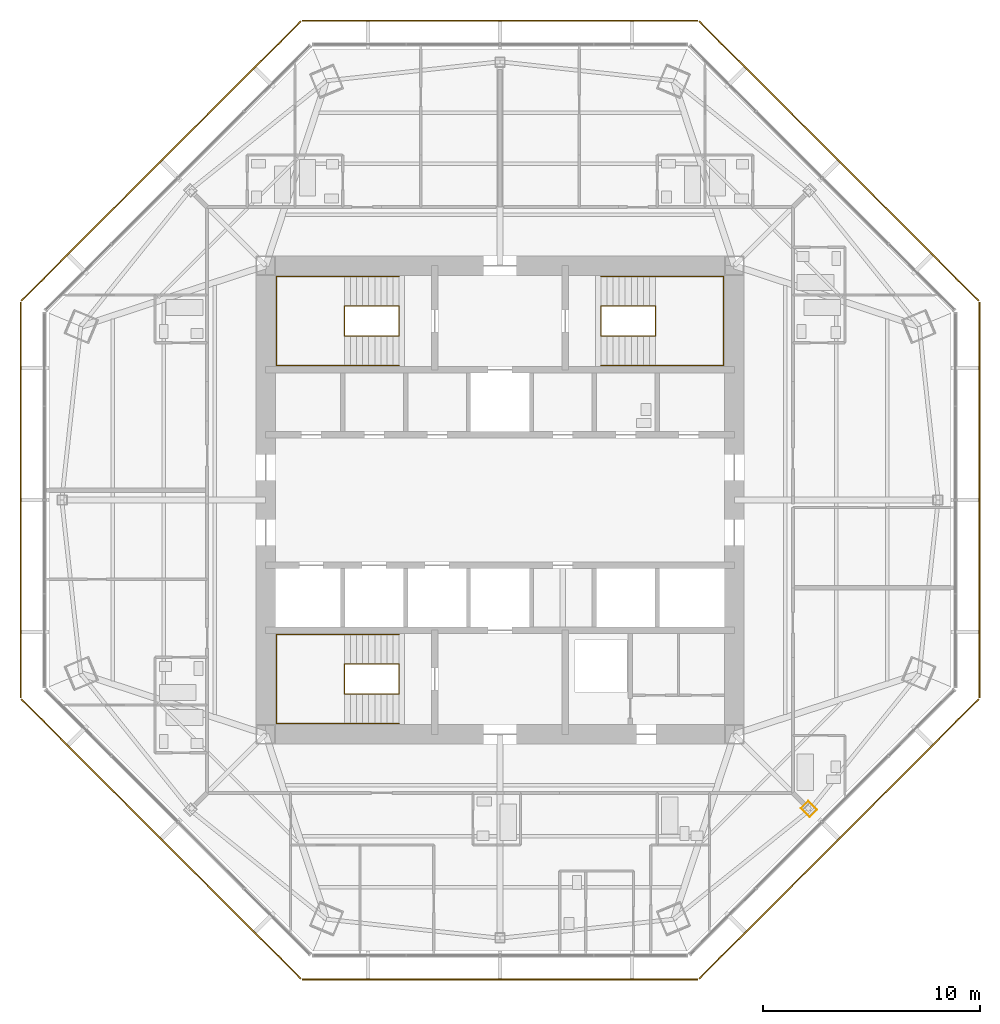
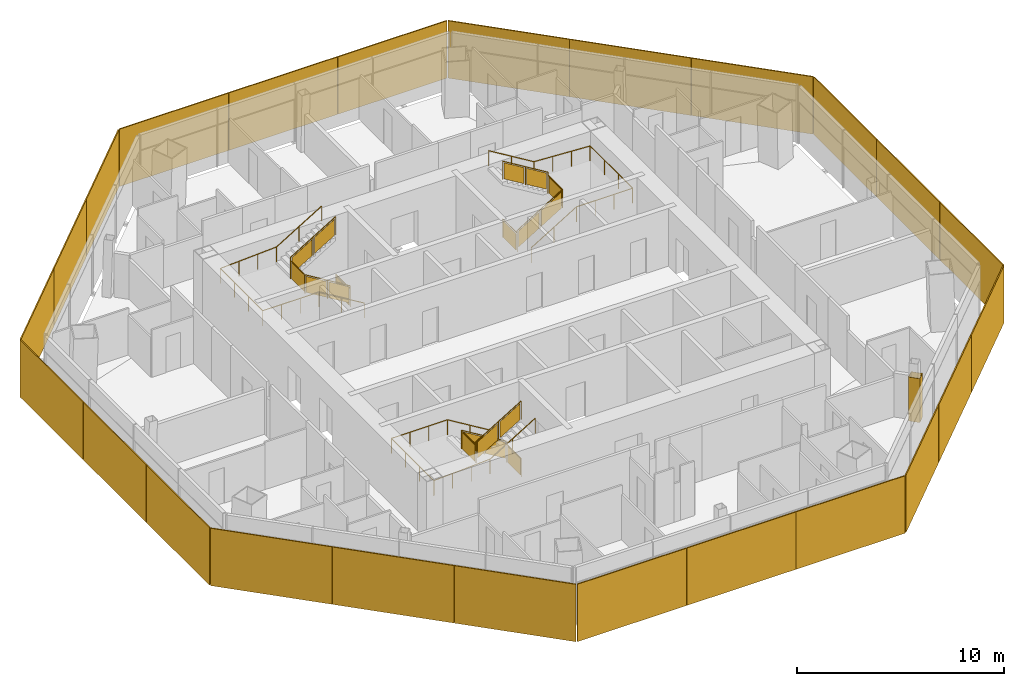
# One storey, part 14 of 15: 24 shading devices, 6 railings, 1 covering.
"""IFC4 building model written with IfcOpenShell, lengths in metres."""

from ifc_helpers import new_model, si_unit, direction, frame, origin, origin_2d, place, context, subcontext, project, spatial, polyline, rectangle, circle, outline, extrude, source, transform, mapped, material, layer, layer_set, type_object, type_shapes, element, save


model = new_model("IFC4")

# Units and contexts
model_context = context("Model", 3, precision=1e-05, world=origin(), true_north=direction((0.0, 1.0)))
body_context = subcontext(model_context, "Body", "Model", "MODEL_VIEW")
ifc_project = project(units=[si_unit("LENGTHUNIT", "METRE"), si_unit("AREAUNIT", "SQUARE_METRE"), si_unit("VOLUMEUNIT", "CUBIC_METRE"), si_unit("PLANEANGLEUNIT", "RADIAN"), si_unit("MASSUNIT", "GRAM", prefix="KILO")], contexts=[model_context])

# Site, building, storey
site_placement = place(None, origin())
site = spatial("IfcSite", under=ifc_project, at=site_placement, CompositionType="ELEMENT")
building_placement = place(site_placement, origin())
building = spatial("IfcBuilding", under=site, at=building_placement, Name="Mashrafa Tower", CompositionType="ELEMENT")
storey_placement = place(building_placement, frame((0.0, 0.0, 248.199951171875)))
storey = spatial("IfcBuildingStorey", under=building, at=storey_placement, Name="L59", CompositionType="ELEMENT", Elevation=248.199951171875)

# Covering
ifc_material_1 = material(Name="Gypsum board")
ifc_layer_1 = layer(ifc_material_1, 0.014892578125)
ifc_layer_set_1 = layer_set([ifc_layer_1], Name="Column casing plasterboard 15")
covering_type = type_object("IfcCoveringType", Name="Column casing plasterboard 15", PredefinedType="CLADDING", material=ifc_layer_set_1)
covering_placement = place(storey_placement, origin())
element("IfcCovering", 1, at=covering_placement, inside=storey, type_object=covering_type, Name="Column casing L59-001", PredefinedType="CLADDING", context=body_context, shape_type="SweptSolid", body=[
    extrude(outline(polyline([(13.87158203125, -14.2109375), (14.2109375, -13.87158203125), (14.618408203125, -14.279052734375), (14.279052734375, -14.618408203125), (13.87158203125, -14.2109375)]), holes=[polyline([(14.59716796875, -14.279052734375), (14.2109375, -13.892578125), (13.892578125, -14.2109375), (14.279052734375, -14.59716796875), (14.59716796875, -14.279052734375)])]), origin(), (0.0, 0.0, 1.0), 2.588134765625),
])

# Railings
ifc_material_2 = material(Name="Steel guard with glass infill", Category="steel")
railing_type_1 = type_object("IfcRailingType", Name="Stair guard 1100", PredefinedType="GUARDRAIL", material=ifc_material_2)
railing_1_placement = place(storey_placement, frame((-4.64990234375, 8.949951171875, 0.0)))
element("IfcRailing", 2, at=railing_1_placement, inside=storey, type_object=railing_type_1, Name="Stair S1 guard L59", PredefinedType="GUARDRAIL", context=body_context, shape_type="SweptSolid", body=[
    extrude(circle(Radius=0.02392578125, at=origin_2d()), frame((0.0, 0.0, 1.076171875), z_axis=(0.0, -1.0, 0.0), x_axis=(1.0, 0.0, 0.0)), (0.0, 0.0, 1.0), 1.39990234375),
    extrude(circle(Radius=0.02392578125, at=origin_2d()), frame((0.0, -1.39990234375, 1.076171875), z_axis=(0.0, 0.0, 1.0), x_axis=(1.0, 0.0, 0.0)), (0.0, 0.0, 1.0), 0.170166015625),
    extrude(circle(Radius=0.02392578125, at=origin_2d()), frame((0.0, -1.39990234375, 1.24609375), z_axis=(-0.854821627497, 0.0, 0.518921945155), x_axis=(0.0, -1.0, 0.0)), (0.0, 0.0, 1.0), 2.947998046875),
    extrude(circle(Radius=0.02392578125, at=origin_2d()), frame((-2.52001953125, -1.39990234375, 2.77587890625), z_axis=(0.0, 1.0, 0.0), x_axis=(-1.0, 0.0, 0.0)), (0.0, 0.0, 1.0), 1.39990234375),
    extrude(circle(Radius=0.02392578125, at=origin_2d()), frame((-2.52001953125, 0.0, 2.77587890625), z_axis=(0.0, 0.0, 1.0), x_axis=(1.0, 0.0, 0.0)), (0.0, 0.0, 1.0), 0.170166015625),
    extrude(circle(Radius=0.02392578125, at=origin_2d()), frame((-2.52001953125, 0.0, 2.9462890625), z_axis=(0.85478489116, 0.0, 0.518982456201), x_axis=(0.0, 1.0, 0.0)), (0.0, 0.0, 1.0), 2.9482421875),
    extrude(circle(Radius=0.02099609375, at=origin_2d()), origin(), (0.0, 0.0, 1.0), 1.052001953125),
    extrude(circle(Radius=0.02099609375, at=origin_2d()), frame((0.0, -1.39990234375, 0.0)), (0.0, 0.0, 1.0), 1.052001953125),
    extrude(circle(Radius=0.02099609375, at=origin_2d()), frame((0.0, -1.39990234375, 0.170166015625)), (0.0, 0.0, 1.0), 1.052001953125),
    extrude(circle(Radius=0.02099609375, at=origin_2d()), frame((-1.260009765625, -1.39990234375, 0.93505859375)), (0.0, 0.0, 1.0), 1.052001953125),
    extrude(circle(Radius=0.02099609375, at=origin_2d()), frame((-2.52001953125, -1.39990234375, 1.699951171875)), (0.0, 0.0, 1.0), 1.052001953125),
    extrude(circle(Radius=0.02099609375, at=origin_2d()), frame((-2.52001953125, 0.0, 1.699951171875)), (0.0, 0.0, 1.0), 1.052001953125),
    extrude(circle(Radius=0.02099609375, at=origin_2d()), frame((-2.52001953125, 0.0, 1.8701171875)), (0.0, 0.0, 1.0), 1.052001953125),
    extrude(circle(Radius=0.02099609375, at=origin_2d()), frame((-1.260009765625, 0.0, 2.63525390625)), (0.0, 0.0, 1.0), 1.052001953125),
    extrude(circle(Radius=0.02099609375, at=origin_2d()), frame((0.0, 0.0, 3.400146484375)), (0.0, 0.0, 1.0), 1.052001953125),
    extrude(outline(polyline([(0.071044921875, 0.050048828125), (1.328857421875, 0.050048828125), (1.328857421875, 1.001953125), (0.071044921875, 1.001953125), (0.071044921875, 0.050048828125)])), frame((-0.006103515625, 0.0, 0.0), z_axis=(-1.0, 0.0, 0.0), x_axis=(0.0, -1.0, 0.0)), (0.0, 0.0, 1.0), 0.011962890625),
    extrude(outline(polyline([(0.071044921875, 0.093017578125), (1.18896484375, 0.771728515625), (1.18896484375, 1.723876953125), (0.071044921875, 1.045166015625), (0.071044921875, 0.093017578125)])), frame((0.0, -1.393798828125, 0.170166015625), z_axis=(0.0, 1.0, 0.0), x_axis=(-1.0, 0.0, 0.0)), (0.0, 0.0, 1.0), 0.011962890625),
    extrude(outline(polyline([(1.3310546875, 0.85791015625), (2.448974609375, 1.53662109375), (2.448974609375, 2.48876953125), (1.3310546875, 1.81005859375), (1.3310546875, 0.85791015625)])), frame((0.0, -1.393798828125, 0.170166015625), z_axis=(0.0, 1.0, 0.0), x_axis=(-1.0, 0.0, 0.0)), (0.0, 0.0, 1.0), 0.011962890625),
    extrude(outline(polyline([(0.071044921875, 0.050048828125), (1.328857421875, 0.050048828125), (1.328857421875, 1.001953125), (0.071044921875, 1.001953125), (0.071044921875, 0.050048828125)])), frame((-2.513916015625, -1.39990234375, 1.699951171875), z_axis=(1.0, 0.0, 0.0), x_axis=(0.0, 1.0, 0.0)), (0.0, 0.0, 1.0), 0.011962890625),
    extrude(outline(polyline([(0.071044921875, 0.093017578125), (1.18896484375, 0.77197265625), (1.18896484375, 1.723876953125), (0.071044921875, 1.045166015625), (0.071044921875, 0.093017578125)])), frame((-2.52001953125, -0.006103515625, 1.8701171875), z_axis=(0.0, -1.0, 0.0), x_axis=(1.0, 0.0, 0.0)), (0.0, 0.0, 1.0), 0.011962890625),
    extrude(outline(polyline([(1.3310546875, 0.858154296875), (2.448974609375, 1.536865234375), (2.448974609375, 2.489013671875), (1.3310546875, 1.81005859375), (1.3310546875, 0.858154296875)])), frame((-2.52001953125, -0.006103515625, 1.8701171875), z_axis=(0.0, -1.0, 0.0), x_axis=(1.0, 0.0, 0.0)), (0.0, 0.0, 1.0), 0.011962890625),
])
railing_2_placement = place(storey_placement, frame((4.64990234375, 8.949951171875, 0.0)))
element("IfcRailing", 3, at=railing_2_placement, inside=storey, type_object=railing_type_1, Name="Stair S2 guard L59", PredefinedType="GUARDRAIL", context=body_context, shape_type="SweptSolid", body=[
    extrude(circle(Radius=0.02392578125, at=origin_2d()), frame((0.0, 0.0, 1.076171875), z_axis=(0.0, -1.0, 0.0), x_axis=(1.0, 0.0, 0.0)), (0.0, 0.0, 1.0), 1.39990234375),
    extrude(circle(Radius=0.02392578125, at=origin_2d()), frame((0.0, -1.39990234375, 1.076171875), z_axis=(0.0, 0.0, 1.0), x_axis=(1.0, 0.0, 0.0)), (0.0, 0.0, 1.0), 0.170166015625),
    extrude(circle(Radius=0.02392578125, at=origin_2d()), frame((0.0, -1.39990234375, 1.24609375), z_axis=(0.854821627497, 0.0, 0.518921945155), x_axis=(0.0, 1.0, 0.0)), (0.0, 0.0, 1.0), 2.947998046875),
    extrude(circle(Radius=0.02392578125, at=origin_2d()), frame((2.52001953125, -1.39990234375, 2.77587890625), z_axis=(0.0, 1.0, 0.0), x_axis=(-1.0, 0.0, 0.0)), (0.0, 0.0, 1.0), 1.39990234375),
    extrude(circle(Radius=0.02392578125, at=origin_2d()), frame((2.52001953125, 0.0, 2.77587890625), z_axis=(0.0, 0.0, 1.0), x_axis=(1.0, 0.0, 0.0)), (0.0, 0.0, 1.0), 0.170166015625),
    extrude(circle(Radius=0.02392578125, at=origin_2d()), frame((2.52001953125, 0.0, 2.9462890625), z_axis=(-0.85478489116, 0.0, 0.518982456201), x_axis=(0.0, -1.0, 0.0)), (0.0, 0.0, 1.0), 2.9482421875),
    extrude(circle(Radius=0.02099609375, at=origin_2d()), origin(), (0.0, 0.0, 1.0), 1.052001953125),
    extrude(circle(Radius=0.02099609375, at=origin_2d()), frame((0.0, -1.39990234375, 0.0)), (0.0, 0.0, 1.0), 1.052001953125),
    extrude(circle(Radius=0.02099609375, at=origin_2d()), frame((0.0, -1.39990234375, 0.170166015625)), (0.0, 0.0, 1.0), 1.052001953125),
    extrude(circle(Radius=0.02099609375, at=origin_2d()), frame((1.260009765625, -1.39990234375, 0.93505859375)), (0.0, 0.0, 1.0), 1.052001953125),
    extrude(circle(Radius=0.02099609375, at=origin_2d()), frame((2.52001953125, -1.39990234375, 1.699951171875)), (0.0, 0.0, 1.0), 1.052001953125),
    extrude(circle(Radius=0.02099609375, at=origin_2d()), frame((2.52001953125, 0.0, 1.699951171875)), (0.0, 0.0, 1.0), 1.052001953125),
    extrude(circle(Radius=0.02099609375, at=origin_2d()), frame((2.52001953125, 0.0, 1.8701171875)), (0.0, 0.0, 1.0), 1.052001953125),
    extrude(circle(Radius=0.02099609375, at=origin_2d()), frame((1.260009765625, 0.0, 2.63525390625)), (0.0, 0.0, 1.0), 1.052001953125),
    extrude(circle(Radius=0.02099609375, at=origin_2d()), frame((0.0, 0.0, 3.400146484375)), (0.0, 0.0, 1.0), 1.052001953125),
    extrude(outline(polyline([(0.071044921875, 0.050048828125), (1.328857421875, 0.050048828125), (1.328857421875, 1.001953125), (0.071044921875, 1.001953125), (0.071044921875, 0.050048828125)])), frame((-0.006103515625, 0.0, 0.0), z_axis=(-1.0, 0.0, 0.0), x_axis=(0.0, -1.0, 0.0)), (0.0, 0.0, 1.0), 0.011962890625),
    extrude(outline(polyline([(0.071044921875, 0.093017578125), (1.18896484375, 0.771728515625), (1.18896484375, 1.723876953125), (0.071044921875, 1.045166015625), (0.071044921875, 0.093017578125)])), frame((0.0, -1.406005859375, 0.170166015625), z_axis=(0.0, -1.0, 0.0), x_axis=(1.0, 0.0, 0.0)), (0.0, 0.0, 1.0), 0.011962890625),
    extrude(outline(polyline([(1.3310546875, 0.85791015625), (2.448974609375, 1.53662109375), (2.448974609375, 2.48876953125), (1.3310546875, 1.81005859375), (1.3310546875, 0.85791015625)])), frame((0.0, -1.406005859375, 0.170166015625), z_axis=(0.0, -1.0, 0.0), x_axis=(1.0, 0.0, 0.0)), (0.0, 0.0, 1.0), 0.011962890625),
    extrude(outline(polyline([(0.071044921875, 0.050048828125), (1.328857421875, 0.050048828125), (1.328857421875, 1.001953125), (0.071044921875, 1.001953125), (0.071044921875, 0.050048828125)])), frame((2.526123046875, -1.39990234375, 1.699951171875), z_axis=(1.0, 0.0, 0.0), x_axis=(0.0, 1.0, 0.0)), (0.0, 0.0, 1.0), 0.011962890625),
    extrude(outline(polyline([(0.071044921875, 0.093017578125), (1.18896484375, 0.77197265625), (1.18896484375, 1.723876953125), (0.071044921875, 1.045166015625), (0.071044921875, 0.093017578125)])), frame((2.52001953125, 0.006103515625, 1.8701171875), z_axis=(0.0, 1.0, 0.0), x_axis=(-1.0, 0.0, 0.0)), (0.0, 0.0, 1.0), 0.011962890625),
    extrude(outline(polyline([(1.3310546875, 0.858154296875), (2.448974609375, 1.536865234375), (2.448974609375, 2.489013671875), (1.3310546875, 1.81005859375), (1.3310546875, 0.858154296875)])), frame((2.52001953125, 0.006103515625, 1.8701171875), z_axis=(0.0, 1.0, 0.0), x_axis=(-1.0, 0.0, 0.0)), (0.0, 0.0, 1.0), 0.011962890625),
])
railing_3_placement = place(storey_placement, frame((-4.64990234375, -8.949951171875, 0.0)))
element("IfcRailing", 4, at=railing_3_placement, inside=storey, type_object=railing_type_1, Name="Stair S3 guard L59", PredefinedType="GUARDRAIL", context=body_context, shape_type="SweptSolid", body=[
    extrude(circle(Radius=0.02392578125, at=origin_2d()), frame((0.0, 0.0, 1.076171875), z_axis=(0.0, 1.0, 0.0), x_axis=(-1.0, 0.0, 0.0)), (0.0, 0.0, 1.0), 1.39990234375),
    extrude(circle(Radius=0.02392578125, at=origin_2d()), frame((0.0, 1.39990234375, 1.076171875), z_axis=(0.0, 0.0, 1.0), x_axis=(1.0, 0.0, 0.0)), (0.0, 0.0, 1.0), 0.170166015625),
    extrude(circle(Radius=0.02392578125, at=origin_2d()), frame((0.0, 1.39990234375, 1.24609375), z_axis=(-0.854821627497, 0.0, 0.518921945155), x_axis=(0.0, -1.0, 0.0)), (0.0, 0.0, 1.0), 2.947998046875),
    extrude(circle(Radius=0.02392578125, at=origin_2d()), frame((-2.52001953125, 1.39990234375, 2.77587890625), z_axis=(0.0, -1.0, 0.0), x_axis=(1.0, 0.0, 0.0)), (0.0, 0.0, 1.0), 1.39990234375),
    extrude(circle(Radius=0.02392578125, at=origin_2d()), frame((-2.52001953125, 0.0, 2.77587890625), z_axis=(0.0, 0.0, 1.0), x_axis=(1.0, 0.0, 0.0)), (0.0, 0.0, 1.0), 0.170166015625),
    extrude(circle(Radius=0.02392578125, at=origin_2d()), frame((-2.52001953125, 0.0, 2.9462890625), z_axis=(0.85478489116, 0.0, 0.518982456201), x_axis=(0.0, 1.0, 0.0)), (0.0, 0.0, 1.0), 2.9482421875),
    extrude(circle(Radius=0.02099609375, at=origin_2d()), origin(), (0.0, 0.0, 1.0), 1.052001953125),
    extrude(circle(Radius=0.02099609375, at=origin_2d()), frame((0.0, 1.39990234375, 0.0)), (0.0, 0.0, 1.0), 1.052001953125),
    extrude(circle(Radius=0.02099609375, at=origin_2d()), frame((0.0, 1.39990234375, 0.170166015625)), (0.0, 0.0, 1.0), 1.052001953125),
    extrude(circle(Radius=0.02099609375, at=origin_2d()), frame((-1.260009765625, 1.39990234375, 0.93505859375)), (0.0, 0.0, 1.0), 1.052001953125),
    extrude(circle(Radius=0.02099609375, at=origin_2d()), frame((-2.52001953125, 1.39990234375, 1.699951171875)), (0.0, 0.0, 1.0), 1.052001953125),
    extrude(circle(Radius=0.02099609375, at=origin_2d()), frame((-2.52001953125, 0.0, 1.699951171875)), (0.0, 0.0, 1.0), 1.052001953125),
    extrude(circle(Radius=0.02099609375, at=origin_2d()), frame((-2.52001953125, 0.0, 1.8701171875)), (0.0, 0.0, 1.0), 1.052001953125),
    extrude(circle(Radius=0.02099609375, at=origin_2d()), frame((-1.260009765625, 0.0, 2.63525390625)), (0.0, 0.0, 1.0), 1.052001953125),
    extrude(circle(Radius=0.02099609375, at=origin_2d()), frame((0.0, 0.0, 3.400146484375)), (0.0, 0.0, 1.0), 1.052001953125),
    extrude(outline(polyline([(0.071044921875, 0.050048828125), (1.328857421875, 0.050048828125), (1.328857421875, 1.001953125), (0.071044921875, 1.001953125), (0.071044921875, 0.050048828125)])), frame((0.006103515625, 0.0, 0.0), z_axis=(1.0, 0.0, 0.0), x_axis=(0.0, 1.0, 0.0)), (0.0, 0.0, 1.0), 0.011962890625),
    extrude(outline(polyline([(0.071044921875, 0.093017578125), (1.18896484375, 0.771728515625), (1.18896484375, 1.723876953125), (0.071044921875, 1.045166015625), (0.071044921875, 0.093017578125)])), frame((0.0, 1.406005859375, 0.170166015625), z_axis=(0.0, 1.0, 0.0), x_axis=(-1.0, 0.0, 0.0)), (0.0, 0.0, 1.0), 0.011962890625),
    extrude(outline(polyline([(1.3310546875, 0.85791015625), (2.448974609375, 1.53662109375), (2.448974609375, 2.48876953125), (1.3310546875, 1.81005859375), (1.3310546875, 0.85791015625)])), frame((0.0, 1.406005859375, 0.170166015625), z_axis=(0.0, 1.0, 0.0), x_axis=(-1.0, 0.0, 0.0)), (0.0, 0.0, 1.0), 0.011962890625),
    extrude(outline(polyline([(0.071044921875, 0.050048828125), (1.328857421875, 0.050048828125), (1.328857421875, 1.001953125), (0.071044921875, 1.001953125), (0.071044921875, 0.050048828125)])), frame((-2.526123046875, 1.39990234375, 1.699951171875), z_axis=(-1.0, 0.0, 0.0), x_axis=(0.0, -1.0, 0.0)), (0.0, 0.0, 1.0), 0.011962890625),
    extrude(outline(polyline([(0.071044921875, 0.093017578125), (1.18896484375, 0.77197265625), (1.18896484375, 1.723876953125), (0.071044921875, 1.045166015625), (0.071044921875, 0.093017578125)])), frame((-2.52001953125, -0.006103515625, 1.8701171875), z_axis=(0.0, -1.0, 0.0), x_axis=(1.0, 0.0, 0.0)), (0.0, 0.0, 1.0), 0.011962890625),
    extrude(outline(polyline([(1.3310546875, 0.858154296875), (2.448974609375, 1.536865234375), (2.448974609375, 2.489013671875), (1.3310546875, 1.81005859375), (1.3310546875, 0.858154296875)])), frame((-2.52001953125, -0.006103515625, 1.8701171875), z_axis=(0.0, -1.0, 0.0), x_axis=(1.0, 0.0, 0.0)), (0.0, 0.0, 1.0), 0.011962890625),
])
ifc_material_3 = material(Name="Steel", Category="steel")
railing_type_2 = type_object("IfcRailingType", Name="Stair handrail 900", PredefinedType="HANDRAIL", material=ifc_material_3)
railing_4_placement = place(storey_placement, frame((-4.64990234375, 6.199951171875, 0.170166015625)))
element("IfcRailing", 5, at=railing_4_placement, inside=storey, type_object=railing_type_2, Name="Stair S1 handrail L59", PredefinedType="HANDRAIL", context=body_context, shape_type="SweptSolid", body=[
    extrude(circle(Radius=0.02392578125, at=origin_2d()), frame((0.0, 0.0, 0.8759765625), z_axis=(-0.854821627497, 0.0, 0.518921945155), x_axis=(0.0, -1.0, 0.0)), (0.0, 0.0, 1.0), 2.947998046875),
    extrude(circle(Radius=0.02392578125, at=origin_2d()), frame((-2.52001953125, 0.0, 2.40576171875), z_axis=(-1.0, 0.0, 0.0), x_axis=(0.0, -1.0, 0.0)), (0.0, 0.0, 1.0), 3.130126953125),
    extrude(circle(Radius=0.02392578125, at=origin_2d()), frame((-5.650146484375, 0.0, 2.40576171875), z_axis=(0.0, 1.0, 0.0), x_axis=(-1.0, 0.0, 0.0)), (0.0, 0.0, 1.0), 4.10009765625),
    extrude(circle(Radius=0.02392578125, at=origin_2d()), frame((-5.650146484375, 4.10009765625, 2.40576171875), z_axis=(0.998525548763, 0.0, 0.054283777201), x_axis=(0.0, 1.0, 0.0)), (0.0, 0.0, 1.0), 3.134765625),
    extrude(circle(Radius=0.02392578125, at=origin_2d()), frame((-2.52001953125, 4.10009765625, 2.57568359375), z_axis=(0.85478489116, 0.0, 0.518982456201), x_axis=(0.0, 1.0, 0.0)), (0.0, 0.0, 1.0), 2.9482421875),
    extrude(circle(Radius=0.02099609375, at=origin_2d()), origin(), (0.0, 0.0, 1.0), 0.851806640625),
    extrude(circle(Radius=0.02099609375, at=origin_2d()), frame((-1.260009765625, 0.0, 0.764892578125)), (0.0, 0.0, 1.0), 0.851806640625),
    extrude(circle(Radius=0.02099609375, at=origin_2d()), frame((-2.52001953125, 0.0, 1.52978515625)), (0.0, 0.0, 1.0), 0.851806640625),
    extrude(circle(Radius=0.02099609375, at=origin_2d()), frame((-3.5634765625, 0.0, 1.52978515625)), (0.0, 0.0, 1.0), 0.851806640625),
    extrude(circle(Radius=0.02099609375, at=origin_2d()), frame((-4.606689453125, 0.0, 1.52978515625)), (0.0, 0.0, 1.0), 0.851806640625),
    extrude(circle(Radius=0.02099609375, at=origin_2d()), frame((-5.650146484375, 0.0, 1.52978515625)), (0.0, 0.0, 1.0), 0.851806640625),
    extrude(circle(Radius=0.02099609375, at=origin_2d()), frame((-5.650146484375, 1.36669921875, 1.52978515625)), (0.0, 0.0, 1.0), 0.851806640625),
    extrude(circle(Radius=0.02099609375, at=origin_2d()), frame((-5.650146484375, 2.7333984375, 1.52978515625)), (0.0, 0.0, 1.0), 0.851806640625),
    extrude(circle(Radius=0.02099609375, at=origin_2d()), frame((-5.650146484375, 4.10009765625, 1.52978515625)), (0.0, 0.0, 1.0), 0.851806640625),
    extrude(circle(Radius=0.02099609375, at=origin_2d()), frame((-4.606689453125, 4.10009765625, 1.58642578125)), (0.0, 0.0, 1.0), 0.851806640625),
    extrude(circle(Radius=0.02099609375, at=origin_2d()), frame((-3.5634765625, 4.10009765625, 1.643310546875)), (0.0, 0.0, 1.0), 0.851806640625),
    extrude(circle(Radius=0.02099609375, at=origin_2d()), frame((-2.52001953125, 4.10009765625, 1.699951171875)), (0.0, 0.0, 1.0), 0.851806640625),
    extrude(circle(Radius=0.02099609375, at=origin_2d()), frame((-1.260009765625, 4.10009765625, 2.46484375)), (0.0, 0.0, 1.0), 0.851806640625),
    extrude(circle(Radius=0.02099609375, at=origin_2d()), frame((0.0, 4.10009765625, 3.22998046875)), (0.0, 0.0, 1.0), 0.851806640625),
])
railing_5_placement = place(storey_placement, frame((4.64990234375, 6.199951171875, 0.170166015625)))
element("IfcRailing", 6, at=railing_5_placement, inside=storey, type_object=railing_type_2, Name="Stair S2 handrail L59", PredefinedType="HANDRAIL", context=body_context, shape_type="SweptSolid", body=[
    extrude(circle(Radius=0.02392578125, at=origin_2d()), frame((0.0, 0.0, 0.8759765625), z_axis=(0.854821627497, 0.0, 0.518921945155), x_axis=(0.0, 1.0, 0.0)), (0.0, 0.0, 1.0), 2.947998046875),
    extrude(circle(Radius=0.02392578125, at=origin_2d()), frame((2.52001953125, 0.0, 2.40576171875), z_axis=(1.0, 0.0, 0.0), x_axis=(0.0, 1.0, 0.0)), (0.0, 0.0, 1.0), 3.130126953125),
    extrude(circle(Radius=0.02392578125, at=origin_2d()), frame((5.650146484375, 0.0, 2.40576171875), z_axis=(0.0, 1.0, 0.0), x_axis=(-1.0, 0.0, 0.0)), (0.0, 0.0, 1.0), 4.10009765625),
    extrude(circle(Radius=0.02392578125, at=origin_2d()), frame((5.650146484375, 4.10009765625, 2.40576171875), z_axis=(-0.998525548763, 0.0, 0.054283777201), x_axis=(0.0, -1.0, 0.0)), (0.0, 0.0, 1.0), 3.134765625),
    extrude(circle(Radius=0.02392578125, at=origin_2d()), frame((2.52001953125, 4.10009765625, 2.57568359375), z_axis=(-0.85478489116, 0.0, 0.518982456201), x_axis=(0.0, -1.0, 0.0)), (0.0, 0.0, 1.0), 2.9482421875),
    extrude(circle(Radius=0.02099609375, at=origin_2d()), origin(), (0.0, 0.0, 1.0), 0.851806640625),
    extrude(circle(Radius=0.02099609375, at=origin_2d()), frame((1.260009765625, 0.0, 0.764892578125)), (0.0, 0.0, 1.0), 0.851806640625),
    extrude(circle(Radius=0.02099609375, at=origin_2d()), frame((2.52001953125, 0.0, 1.52978515625)), (0.0, 0.0, 1.0), 0.851806640625),
    extrude(circle(Radius=0.02099609375, at=origin_2d()), frame((3.5634765625, 0.0, 1.52978515625)), (0.0, 0.0, 1.0), 0.851806640625),
    extrude(circle(Radius=0.02099609375, at=origin_2d()), frame((4.606689453125, 0.0, 1.52978515625)), (0.0, 0.0, 1.0), 0.851806640625),
    extrude(circle(Radius=0.02099609375, at=origin_2d()), frame((5.650146484375, 0.0, 1.52978515625)), (0.0, 0.0, 1.0), 0.851806640625),
    extrude(circle(Radius=0.02099609375, at=origin_2d()), frame((5.650146484375, 1.36669921875, 1.52978515625)), (0.0, 0.0, 1.0), 0.851806640625),
    extrude(circle(Radius=0.02099609375, at=origin_2d()), frame((5.650146484375, 2.7333984375, 1.52978515625)), (0.0, 0.0, 1.0), 0.851806640625),
    extrude(circle(Radius=0.02099609375, at=origin_2d()), frame((5.650146484375, 4.10009765625, 1.52978515625)), (0.0, 0.0, 1.0), 0.851806640625),
    extrude(circle(Radius=0.02099609375, at=origin_2d()), frame((4.606689453125, 4.10009765625, 1.58642578125)), (0.0, 0.0, 1.0), 0.851806640625),
    extrude(circle(Radius=0.02099609375, at=origin_2d()), frame((3.5634765625, 4.10009765625, 1.643310546875)), (0.0, 0.0, 1.0), 0.851806640625),
    extrude(circle(Radius=0.02099609375, at=origin_2d()), frame((2.52001953125, 4.10009765625, 1.699951171875)), (0.0, 0.0, 1.0), 0.851806640625),
    extrude(circle(Radius=0.02099609375, at=origin_2d()), frame((1.260009765625, 4.10009765625, 2.46484375)), (0.0, 0.0, 1.0), 0.851806640625),
    extrude(circle(Radius=0.02099609375, at=origin_2d()), frame((0.0, 4.10009765625, 3.22998046875)), (0.0, 0.0, 1.0), 0.851806640625),
])
railing_6_placement = place(storey_placement, frame((-4.64990234375, -6.199951171875, 0.170166015625)))
element("IfcRailing", 7, at=railing_6_placement, inside=storey, type_object=railing_type_2, Name="Stair S3 handrail L59", PredefinedType="HANDRAIL", context=body_context, shape_type="SweptSolid", body=[
    extrude(circle(Radius=0.02392578125, at=origin_2d()), frame((0.0, 0.0, 0.8759765625), z_axis=(-0.854821627497, 0.0, 0.518921945155), x_axis=(0.0, -1.0, 0.0)), (0.0, 0.0, 1.0), 2.947998046875),
    extrude(circle(Radius=0.02392578125, at=origin_2d()), frame((-2.52001953125, 0.0, 2.40576171875), z_axis=(-1.0, 0.0, 0.0), x_axis=(0.0, -1.0, 0.0)), (0.0, 0.0, 1.0), 3.130126953125),
    extrude(circle(Radius=0.02392578125, at=origin_2d()), frame((-5.650146484375, 0.0, 2.40576171875), z_axis=(0.0, -1.0, 0.0), x_axis=(1.0, 0.0, 0.0)), (0.0, 0.0, 1.0), 4.10009765625),
    extrude(circle(Radius=0.02392578125, at=origin_2d()), frame((-5.650146484375, -4.10009765625, 2.40576171875), z_axis=(0.998525548763, 0.0, 0.054283777201), x_axis=(0.0, 1.0, 0.0)), (0.0, 0.0, 1.0), 3.134765625),
    extrude(circle(Radius=0.02392578125, at=origin_2d()), frame((-2.52001953125, -4.10009765625, 2.57568359375), z_axis=(0.85478489116, 0.0, 0.518982456201), x_axis=(0.0, 1.0, 0.0)), (0.0, 0.0, 1.0), 2.9482421875),
    extrude(circle(Radius=0.02099609375, at=origin_2d()), origin(), (0.0, 0.0, 1.0), 0.851806640625),
    extrude(circle(Radius=0.02099609375, at=origin_2d()), frame((-1.260009765625, 0.0, 0.764892578125)), (0.0, 0.0, 1.0), 0.851806640625),
    extrude(circle(Radius=0.02099609375, at=origin_2d()), frame((-2.52001953125, 0.0, 1.52978515625)), (0.0, 0.0, 1.0), 0.851806640625),
    extrude(circle(Radius=0.02099609375, at=origin_2d()), frame((-3.5634765625, 0.0, 1.52978515625)), (0.0, 0.0, 1.0), 0.851806640625),
    extrude(circle(Radius=0.02099609375, at=origin_2d()), frame((-4.606689453125, 0.0, 1.52978515625)), (0.0, 0.0, 1.0), 0.851806640625),
    extrude(circle(Radius=0.02099609375, at=origin_2d()), frame((-5.650146484375, 0.0, 1.52978515625)), (0.0, 0.0, 1.0), 0.851806640625),
    extrude(circle(Radius=0.02099609375, at=origin_2d()), frame((-5.650146484375, -1.36669921875, 1.52978515625)), (0.0, 0.0, 1.0), 0.851806640625),
    extrude(circle(Radius=0.02099609375, at=origin_2d()), frame((-5.650146484375, -2.7333984375, 1.52978515625)), (0.0, 0.0, 1.0), 0.851806640625),
    extrude(circle(Radius=0.02099609375, at=origin_2d()), frame((-5.650146484375, -4.10009765625, 1.52978515625)), (0.0, 0.0, 1.0), 0.851806640625),
    extrude(circle(Radius=0.02099609375, at=origin_2d()), frame((-4.606689453125, -4.10009765625, 1.58642578125)), (0.0, 0.0, 1.0), 0.851806640625),
    extrude(circle(Radius=0.02099609375, at=origin_2d()), frame((-3.5634765625, -4.10009765625, 1.643310546875)), (0.0, 0.0, 1.0), 0.851806640625),
    extrude(circle(Radius=0.02099609375, at=origin_2d()), frame((-2.52001953125, -4.10009765625, 1.699951171875)), (0.0, 0.0, 1.0), 0.851806640625),
    extrude(circle(Radius=0.02099609375, at=origin_2d()), frame((-1.260009765625, -4.10009765625, 2.46484375)), (0.0, 0.0, 1.0), 0.851806640625),
    extrude(circle(Radius=0.02099609375, at=origin_2d()), frame((0.0, -4.10009765625, 3.22998046875)), (0.0, 0.0, 1.0), 0.851806640625),
])

# Shading devices
ifc_material_4 = material(Name="Perforated aluminium plate, eight-point star pattern", Category="aluminium")
ifc_layer_2 = layer(ifc_material_4, 0.06005859375)
ifc_layer_set_2 = layer_set([ifc_layer_2], Name="Mashrabiya screen panel apartment zone 3, 28 percent open")
shading_device_type = type_object("IfcShadingDeviceType", Name="Mashrabiya screen panel apartment zone 3, 28 percent open", PredefinedType="SHUTTER", material=ifc_layer_set_2)
shared_shape = source(origin(), body_context, "Body", "SweptSolid", [
    extrude(rectangle(XDim=6.06591796875, YDim=0.06005859375, at=origin_2d()), origin(), (0.0, 0.0, 1.0), 3.3798828125),
])
type_shapes(shading_device_type, [shared_shape])
for number, where, z_axis, x_axis, name in (
    (8, (22.093505859375, -6.0859375, -0.14990234375), (0.0, 0.0, 1.0), (0.0, 1.0, 0.0), "Mashrabiya screen L59 east 1"),
    (9, (22.093505859375, 0.0, -0.14990234375), (0.0, 0.0, 1.0), (0.0, 1.0, 0.0), "Mashrabiya screen L59 east 2"),
    (10, (22.093505859375, 6.0859375, -0.14990234375), (0.0, 0.0, 1.0), (0.0, 1.0, 0.0), "Mashrabiya screen L59 east 3"),
    (11, (19.926025390625, 11.319091796875, -0.14990234375), (0.0, 0.0, 1.0), (-0.707106781187, 0.707106781187, 0.0), "Mashrabiya screen L59 north-east 1"),
    (12, (15.62255859375, 15.62255859375, -0.14990234375), (0.0, 0.0, 1.0), (-0.707106781187, 0.707106781187, 0.0), "Mashrabiya screen L59 north-east 2"),
    (13, (11.319091796875, 19.926025390625, -0.14990234375), (0.0, 0.0, 1.0), (-0.707106781187, 0.707106781187, 0.0), "Mashrabiya screen L59 north-east 3"),
    (14, (6.0859375, 22.093505859375, -0.14990234375), (0.0, 0.0, 1.0), (-1.0, 0.0, 0.0), "Mashrabiya screen L59 north 1"),
    (15, (0.0, 22.093505859375, -0.14990234375), (0.0, 0.0, 1.0), (-1.0, 0.0, 0.0), "Mashrabiya screen L59 north 2"),
    (16, (-6.0859375, 22.093505859375, -0.14990234375), (0.0, 0.0, 1.0), (-1.0, 0.0, 0.0), "Mashrabiya screen L59 north 3"),
    (17, (-11.319091796875, 19.926025390625, -0.14990234375), (0.0, 0.0, 1.0), (-0.707106781187, -0.707106781187, 0.0), "Mashrabiya screen L59 north-west 1"),
    (18, (-15.62255859375, 15.62255859375, -0.14990234375), (0.0, 0.0, 1.0), (-0.707106781187, -0.707106781187, 0.0), "Mashrabiya screen L59 north-west 2"),
    (19, (-19.926025390625, 11.319091796875, -0.14990234375), (0.0, 0.0, 1.0), (-0.707106781187, -0.707106781187, 0.0), "Mashrabiya screen L59 north-west 3"),
    (20, (-22.093505859375, 6.0859375, -0.14990234375), (0.0, 0.0, 1.0), (0.0, -1.0, 0.0), "Mashrabiya screen L59 west 1"),
    (21, (-22.093505859375, 0.0, -0.14990234375), (0.0, 0.0, 1.0), (0.0, -1.0, 0.0), "Mashrabiya screen L59 west 2"),
    (22, (-22.093505859375, -6.0859375, -0.14990234375), (0.0, 0.0, 1.0), (0.0, -1.0, 0.0), "Mashrabiya screen L59 west 3"),
    (23, (-19.926025390625, -11.319091796875, -0.14990234375), (0.0, 0.0, 1.0), (0.707106781187, -0.707106781187, 0.0), "Mashrabiya screen L59 south-west 1"),
    (24, (-15.62255859375, -15.62255859375, -0.14990234375), (0.0, 0.0, 1.0), (0.707106781187, -0.707106781187, 0.0), "Mashrabiya screen L59 south-west 2"),
    (25, (-11.319091796875, -19.926025390625, -0.14990234375), (0.0, 0.0, 1.0), (0.707106781187, -0.707106781187, 0.0), "Mashrabiya screen L59 south-west 3"),
    (26, (-6.0859375, -22.093505859375, -0.14990234375), (0.0, 0.0, 1.0), (1.0, 0.0, 0.0), "Mashrabiya screen L59 south 1"),
    (27, (0.0, -22.093505859375, -0.14990234375), (0.0, 0.0, 1.0), (1.0, 0.0, 0.0), "Mashrabiya screen L59 south 2"),
    (28, (6.0859375, -22.093505859375, -0.14990234375), (0.0, 0.0, 1.0), (1.0, 0.0, 0.0), "Mashrabiya screen L59 south 3"),
    (29, (11.319091796875, -19.926025390625, -0.14990234375), (0.0, 0.0, 1.0), (0.707106781187, 0.707106781187, 0.0), "Mashrabiya screen L59 south-east 1"),
    (30, (15.62255859375, -15.62255859375, -0.14990234375), (0.0, 0.0, 1.0), (0.707106781187, 0.707106781187, 0.0), "Mashrabiya screen L59 south-east 2"),
    (31, (19.926025390625, -11.319091796875, -0.14990234375), (0.0, 0.0, 1.0), (0.707106781187, 0.707106781187, 0.0), "Mashrabiya screen L59 south-east 3"),
):
    element("IfcShadingDevice", number, at=place(storey_placement, frame(where, z_axis=z_axis, x_axis=x_axis)), inside=storey, type_object=shading_device_type, Name=name, PredefinedType="SHUTTER", context=body_context, shape_type="MappedRepresentation", body=[
        mapped(shared_shape, transform((0.0, 0.0, 0.0))),
    ])

save(model, "model.ifc")
